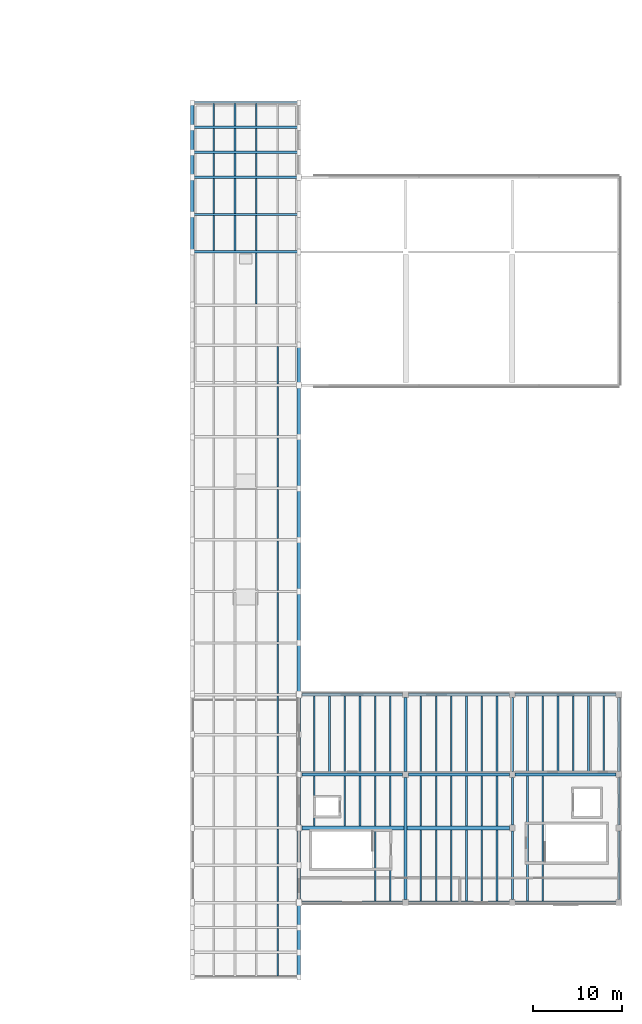
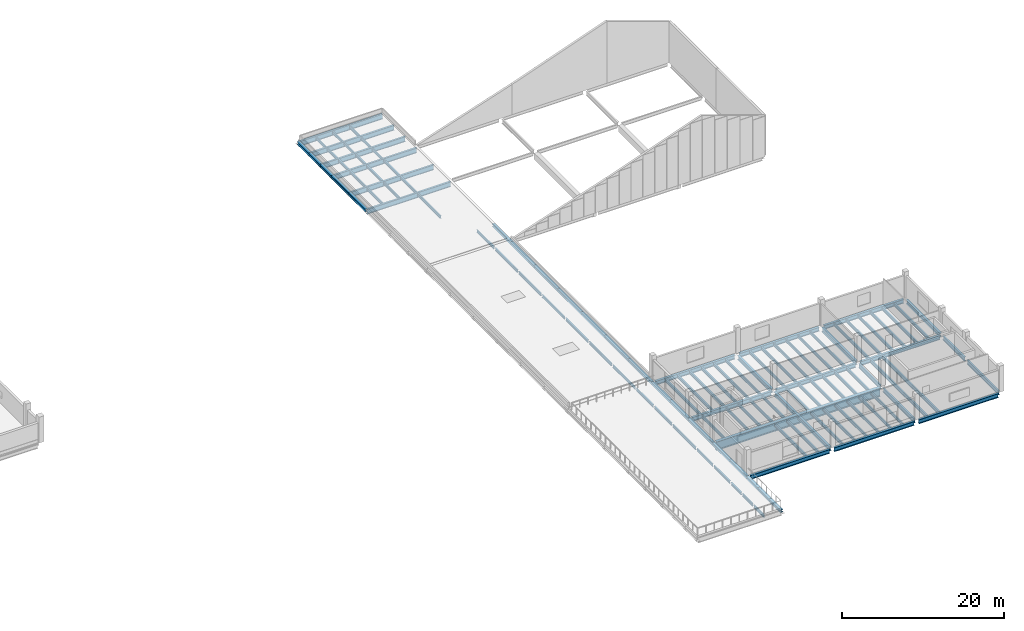
# One storey, part 4 of 19: 114 beams.
"""IFC4 building model written with IfcOpenShell, lengths in metres."""

import ifcopenshell
import ifcopenshell.guid

model = None  # the IFC model being written
_history = None  # IfcOwnerHistory: only IFC2X3 demands one
_inside = {}  # id of a spatial element -> (the spatial element, [elements in it])
_under = {}  # id of a project, library or spatial element -> (it, [spatial elements below it])
_declared = {}  # id of a project -> (the project, [libraries it declares])
_typed = {}  # id of a type object -> (the type object, [elements of that type])
_made_of = {}  # id of a material, layer set ... -> (it, [elements and type objects made of it])


def new_model(schema):
    """Start an empty IFC model of exactly this schema.

    Asked for "IFC4X3", IfcOpenShell would pick the latest addendum, in which some entities
    have other attributes; the version numbers below select the first issue.
    IFC2X3 requires an IfcOwnerHistory on every rooted entity: one is made here for all.
    """
    global model, _history
    if schema == "IFC4X3":
        model = ifcopenshell.file(schema_version=(4, 3, 0, 0))
    else:
        model = ifcopenshell.file(schema=schema)
    _inside.clear()
    _under.clear()
    _declared.clear()
    _typed.clear()
    _made_of.clear()
    _history = None
    if model.schema == "IFC2X3":
        org = make("IfcOrganization", Name="unknown")
        user = make(
            "IfcPersonAndOrganization",
            ThePerson=make("IfcPerson", FamilyName="unknown"),
            TheOrganization=org,
        )
        app = make(
            "IfcApplication",
            ApplicationDeveloper=org,
            Version="unknown",
            ApplicationFullName="unknown",
            ApplicationIdentifier="unknown",
        )
        _history = make(
            "IfcOwnerHistory",
            OwningUser=user,
            OwningApplication=app,
            ChangeAction="ADDED",
            CreationDate=0,
        )
    return model


def make(cls, **values):
    """One entity of the class cls with the attributes given. An attribute that is None is left unset."""
    return model.create_entity(
        cls, **{name: value for name, value in values.items() if value is not None}
    )


def rooted(cls, **values):
    """An entity with a GlobalId (a new one), such as an element, a storey or a relation."""
    return make(cls, GlobalId=ifcopenshell.guid.new(), OwnerHistory=_history, **values)


def si_unit(unit_type, name, prefix=None):
    """IfcSIUnit, for example si_unit("LENGTHUNIT", "METRE", prefix="MILLI")."""
    return make("IfcSIUnit", UnitType=unit_type, Prefix=prefix, Name=name)


def assignment(units):
    """IfcUnitAssignment: the units of a project."""
    return None if units is None else make("IfcUnitAssignment", Units=units)


def point(xyz):
    """IfcCartesianPoint."""
    return None if xyz is None else make("IfcCartesianPoint", Coordinates=xyz)


def direction(xyz):
    """IfcDirection."""
    return None if xyz is None else make("IfcDirection", DirectionRatios=xyz)


def frame(location, z_axis=None, x_axis=None):
    """IfcAxis2Placement3D, a coordinate frame: its origin and axes. An axis left out is left unset."""
    return make(
        "IfcAxis2Placement3D",
        Location=point(location),
        Axis=direction(z_axis),
        RefDirection=direction(x_axis),
    )


def frame_2d(location, x_axis=None):
    """IfcAxis2Placement2D, a coordinate frame in the plane: its origin and x axis."""
    return make(
        "IfcAxis2Placement2D", Location=point(location), RefDirection=direction(x_axis)
    )


def origin():
    """The frame at (0, 0, 0) with its axes left unset."""
    return frame((0.0, 0.0, 0.0))


def origin_2d():
    """The frame at (0, 0) in the plane with its x axis left unset."""
    return frame_2d((0.0, 0.0))


def place(relative_to, where):
    """IfcLocalPlacement: puts the frame where relative to a parent placement (None: the world)."""
    return make(
        "IfcLocalPlacement", PlacementRelTo=relative_to, RelativePlacement=where
    )


def context(
    kind, dimensions, precision=None, world=None, true_north=None, identifier=None
):
    """IfcGeometricRepresentationContext, for example the 3D "Model" context."""
    return make(
        "IfcGeometricRepresentationContext",
        ContextIdentifier=identifier,
        ContextType=kind,
        CoordinateSpaceDimension=dimensions,
        Precision=precision,
        WorldCoordinateSystem=world,
        TrueNorth=true_north,
    )


def subcontext(parent, identifier, kind, view, scale=None):
    """IfcGeometricRepresentationSubContext, for example "Body" below "Model"."""
    return make(
        "IfcGeometricRepresentationSubContext",
        ContextIdentifier=identifier,
        ContextType=kind,
        ParentContext=parent,
        TargetScale=scale,
        TargetView=view,
    )


def project(units=None, contexts=None):
    """IfcProject with its units and contexts."""
    return rooted(
        "IfcProject",
        Name="project",
        RepresentationContexts=contexts,
        UnitsInContext=assignment(units),
    )


def spatial(cls, under=None, at=None, **own):
    """A site, building, storey or space (cls), placed at a placement, below another one or the project."""
    s = rooted(cls, ObjectPlacement=at, **own)
    if under is not None:
        _under.setdefault(under.id(), (under, []))[1].append(s)
    return s


def profile(cls, at=None, kind="AREA", **sizes):
    """A parametric profile (cls). Its sizes go by their IFC names, for example OverallWidth=200.0."""
    return make(cls, ProfileType=kind, Position=at, **sizes)


def i_section(**sizes):
    """IfcIShapeProfileDef."""
    return profile("IfcIShapeProfileDef", **sizes)


def extrude(swept, where, along, depth):
    """IfcExtrudedAreaSolid: the profile swept, set in the frame where, extruded along a direction by depth."""
    return make(
        "IfcExtrudedAreaSolid",
        SweptArea=swept,
        Position=where,
        ExtrudedDirection=direction(along),
        Depth=depth,
    )


def shape(context_of_items, identifier, shape_type, items):
    """IfcShapeRepresentation: the items that make up one representation, for example the "Body"."""
    return make(
        "IfcShapeRepresentation",
        ContextOfItems=context_of_items,
        RepresentationIdentifier=identifier,
        RepresentationType=shape_type,
        Items=items,
    )


def material(Name=None, Category=None):
    """IfcMaterial."""
    return make("IfcMaterial", Name=Name, Category=Category)


def material_profile(
    of_material, cross_section, Name=None, Category=None, Priority=None
):
    """IfcMaterialProfile: a cross section and its material."""
    return make(
        "IfcMaterialProfile",
        Name=Name,
        Material=of_material,
        Profile=cross_section,
        Priority=Priority,
        Category=Category,
    )


def profile_set(profiles, Name=None, composite=None):
    """IfcMaterialProfileSet."""
    return make(
        "IfcMaterialProfileSet",
        Name=Name,
        MaterialProfiles=profiles,
        CompositeProfile=composite,
    )


def made_of(thing, what):
    """Note that an element or type object is made of a material, layer set ...; save() writes the relation."""
    if what is not None:
        _made_of.setdefault(what.id(), (what, []))[1].append(thing)
    return thing


def type_object(cls, material=None, **own):
    """A type object (cls), such as IfcWallType, which elements share."""
    return made_of(rooted(cls, **own), material)


def element(
    cls,
    number,
    at=None,
    inside=None,
    cuts=None,
    type_object=None,
    material=None,
    context=None,
    identifier="Body",
    shape_type=None,
    held_by="IfcProductDefinitionShape",
    body=None,
    shapes=None,
    **own,
):
    """One element of the class cls, such as IfcWall. Its Tag is "e" and its number.

    at: its placement. inside: the storey or other place that contains it. cuts: it is an
    opening in that element (IfcRelVoidsElement). A single representation is given by context,
    identifier, shape_type and body (its items); several are given by shapes. held_by: the class
    of the entity that holds the representations. save() writes the other relations.
    """
    e = rooted(cls, Tag="e%d" % number, ObjectPlacement=at, **own)
    if body is not None:
        shapes = [shape(context, identifier, shape_type, body)]
    if shapes is not None:
        e.Representation = make(held_by, Representations=shapes)
    if inside is not None:
        _inside.setdefault(inside.id(), (inside, []))[1].append(e)
    if cuts is not None:
        rooted(
            "IfcRelVoidsElement", RelatingBuildingElement=cuts, RelatedOpeningElement=e
        )
    if type_object is not None:
        _typed.setdefault(type_object.id(), (type_object, []))[1].append(e)
    return made_of(e, material)


def aggregate(whole, parts):
    """IfcRelAggregates: a whole, such as a stair, and the parts it consists of."""
    return rooted("IfcRelAggregates", RelatingObject=whole, RelatedObjects=parts)


def save(model, path):
    """Write the relations noted so far, then the file.

    IfcRelAggregates (storeys below a building ...), IfcRelContainedInSpatialStructure (elements
    in a storey), IfcRelDefinesByType, IfcRelAssociatesMaterial and IfcRelDeclares: one each for
    every whole, place, type object, material and project.
    """
    for whole, parts in _under.values():
        aggregate(whole, parts)
    for where, things in _inside.values():
        rooted(
            "IfcRelContainedInSpatialStructure",
            RelatedElements=things,
            RelatingStructure=where,
        )
    for kind, things in _typed.values():
        rooted("IfcRelDefinesByType", RelatedObjects=things, RelatingType=kind)
    for what, things in _made_of.values():
        rooted("IfcRelAssociatesMaterial", RelatedObjects=things, RelatingMaterial=what)
    for by, libraries in _declared.values():
        rooted("IfcRelDeclares", RelatingContext=by, RelatedDefinitions=libraries)
    model.write(path)


model = new_model("IFC4")

# Units and contexts
model_context = context("Model", 3, precision=1e-05, world=origin(), true_north=direction((0.0, 1.0)))
body_context = subcontext(model_context, "Body", "Model", "MODEL_VIEW")
ifc_project = project(units=[si_unit("LENGTHUNIT", "METRE"), si_unit("AREAUNIT", "SQUARE_METRE"), si_unit("VOLUMEUNIT", "CUBIC_METRE"), si_unit("PLANEANGLEUNIT", "RADIAN"), si_unit("MASSUNIT", "GRAM", prefix="KILO")], contexts=[model_context])

# Site, building, storey
site_placement = place(None, origin())
site = spatial("IfcSite", under=ifc_project, at=site_placement, CompositionType="ELEMENT")
building_placement = place(site_placement, origin())
building = spatial("IfcBuilding", under=site, at=building_placement, Name="Kelmvaro Bay Concert Hall", CompositionType="ELEMENT")
storey_placement = place(building_placement, frame((0.0, 0.0, 18.300048828125)))
storey = spatial("IfcBuildingStorey", under=building, at=storey_placement, Name="L04", CompositionType="ELEMENT", Elevation=18.300048828125)

# Beams
ifc_material_1 = material(Name="Steel ASTM A992 Grade 50", Category="steel")
ifc_material_profile_1 = material_profile(ifc_material_1, i_section(OverallWidth=0.40087890625, OverallDepth=0.39404296875, WebThickness=0.022705078125, FlangeThickness=0.03662109375, at=origin_2d()), Name="W14X193")
ifc_profile_set_1 = profile_set([ifc_material_profile_1], Name="Steel ASTM A992 Grade 50")
beam_type_1 = type_object("IfcBeamType", Name="Bridge Cantilever Chord W14x193", PredefinedType="BEAM", material=ifc_profile_set_1)
for number, where, z_axis, x_axis, name in (
    (1, (120.0, 97.199951171875, -0.47705078125), (0.0, 1.0, 0.0), (-1.0, 0.0, 0.0), "Bridge Truss W Top Chord 20"),
    (2, (120.0, 100.0, -0.47705078125), (0.0, 1.0, 0.0), (-1.0, 0.0, 0.0), "Bridge Truss W Top Chord 21"),
    (3, (120.0, 102.800048828125, -0.47705078125), (0.0, 1.0, 0.0), (-1.0, 0.0, 0.0), "Bridge Truss W Top Chord 22"),
    (4, (132.0, 7.199951171875, -0.47705078125), (0.0, 1.0, 0.0), (-1.0, 0.0, 0.0), "Bridge Truss E Top Chord 01"),
    (5, (132.0, 10.0, -0.47705078125), (0.0, 1.0, 0.0), (-1.0, 0.0, 0.0), "Bridge Truss E Top Chord 02"),
    (6, (132.0, 12.800048828125, -0.47705078125), (0.0, 1.0, 0.0), (-1.0, 0.0, 0.0), "Bridge Truss E Top Chord 03"),
):
    element("IfcBeam", number, at=place(storey_placement, frame(where, z_axis=z_axis, x_axis=x_axis)), inside=storey, type_object=beam_type_1, Name=name, PredefinedType="BEAM", context=body_context, shape_type="SweptSolid", body=[
        extrude(i_section(OverallWidth=0.40087890625, OverallDepth=0.39404296875, WebThickness=0.022705078125, FlangeThickness=0.03662109375, at=origin_2d()), origin(), (0.0, 0.0, 1.0), 2.800048828125),
    ])
ifc_material_2 = material(Name="Steel ASTM A992 Grade 50", Category="steel")
ifc_material_profile_2 = material_profile(ifc_material_2, i_section(OverallWidth=0.177978515625, OverallDepth=0.406005859375, WebThickness=0.0078125, FlangeThickness=0.0126953125, at=origin_2d()), Name="W16X40")
ifc_profile_set_2 = profile_set([ifc_material_profile_2], Name="Steel ASTM A992 Grade 50")
beam_type_2 = type_object("IfcBeamType", Name="Bridge Deck Floor Joist W16x40", PredefinedType="JOIST", material=ifc_profile_set_2)
for number, where, z_axis, x_axis, name in (
    (7, (129.60009765625, 7.33349609375, -0.483154296875), (0.0, 1.0, 0.0), (-1.0, 0.0, 0.0), "Bridge Deck Joist L04-01"),
    (8, (129.60009765625, 10.133544921875, -0.483154296875), (0.0, 1.0, 0.0), (-1.0, 0.0, 0.0), "Bridge Deck Joist L04-02"),
    (9, (129.60009765625, 12.93359375, -0.483154296875), (0.0, 1.0, 0.0), (-1.0, 0.0, 0.0), "Bridge Deck Joist L04-03"),
):
    element("IfcBeam", number, at=place(storey_placement, frame(where, z_axis=z_axis, x_axis=x_axis)), inside=storey, type_object=beam_type_2, Name=name, PredefinedType="JOIST", context=body_context, shape_type="SweptSolid", body=[
        extrude(i_section(OverallWidth=0.177978515625, OverallDepth=0.406005859375, WebThickness=0.0078125, FlangeThickness=0.0126953125, at=origin_2d()), origin(), (0.0, 0.0, 1.0), 2.532958984375),
    ])
beam_1_placement = place(storey_placement, frame((129.60009765625, 15.7333984375, -0.483154296875), z_axis=(0.0, 1.0, 0.0), x_axis=(-1.0, 0.0, 0.0)))
element("IfcBeam", 10, at=beam_1_placement, inside=storey, type_object=beam_type_2, Name="Bridge Deck Joist L04-04", PredefinedType="JOIST", context=body_context, shape_type="SweptSolid", body=[
    extrude(i_section(OverallWidth=0.177978515625, OverallDepth=0.406005859375, WebThickness=0.0078125, FlangeThickness=0.0126953125, at=origin_2d()), origin(), (0.0, 0.0, 1.0), 3.93310546875),
])
beam_2_placement = place(storey_placement, frame((129.60009765625, 19.93359375, -0.483154296875), z_axis=(0.0, 1.0, 0.0), x_axis=(-1.0, 0.0, 0.0)))
element("IfcBeam", 11, at=beam_2_placement, inside=storey, type_object=beam_type_2, Name="Bridge Deck Joist L04-05", PredefinedType="JOIST", context=body_context, shape_type="SweptSolid", body=[
    extrude(i_section(OverallWidth=0.177978515625, OverallDepth=0.406005859375, WebThickness=0.0078125, FlangeThickness=0.0126953125, at=origin_2d()), origin(), (0.0, 0.0, 1.0), 3.932861328125),
])
beam_3_placement = place(storey_placement, frame((129.60009765625, 24.133544921875, -0.483154296875), z_axis=(0.0, 1.0, 0.0), x_axis=(-1.0, 0.0, 0.0)))
element("IfcBeam", 12, at=beam_3_placement, inside=storey, type_object=beam_type_2, Name="Bridge Deck Joist L04-06", PredefinedType="JOIST", context=body_context, shape_type="SweptSolid", body=[
    extrude(i_section(OverallWidth=0.177978515625, OverallDepth=0.406005859375, WebThickness=0.0078125, FlangeThickness=0.0126953125, at=origin_2d()), origin(), (0.0, 0.0, 1.0), 5.73291015625),
])
for number, where, z_axis, x_axis, name in (
    (13, (129.60009765625, 30.133544921875, -0.483154296875), (0.0, 1.0, 0.0), (-1.0, 0.0, 0.0), "Bridge Deck Joist L04-07"),
    (14, (129.60009765625, 34.633544921875, -0.483154296875), (0.0, 1.0, 0.0), (-1.0, 0.0, 0.0), "Bridge Deck Joist L04-08"),
):
    element("IfcBeam", number, at=place(storey_placement, frame(where, z_axis=z_axis, x_axis=x_axis)), inside=storey, type_object=beam_type_2, Name=name, PredefinedType="JOIST", context=body_context, shape_type="SweptSolid", body=[
        extrude(i_section(OverallWidth=0.177978515625, OverallDepth=0.406005859375, WebThickness=0.0078125, FlangeThickness=0.0126953125, at=origin_2d()), origin(), (0.0, 0.0, 1.0), 4.23291015625),
    ])
for number, where, z_axis, x_axis, name in (
    (15, (129.60009765625, 39.133544921875, -0.483154296875), (0.0, 1.0, 0.0), (-1.0, 0.0, 0.0), "Bridge Deck Joist L04-09"),
    (16, (129.60009765625, 44.93359375, -0.483154296875), (0.0, 1.0, 0.0), (-1.0, 0.0, 0.0), "Bridge Deck Joist L04-10"),
):
    element("IfcBeam", number, at=place(storey_placement, frame(where, z_axis=z_axis, x_axis=x_axis)), inside=storey, type_object=beam_type_2, Name=name, PredefinedType="JOIST", context=body_context, shape_type="SweptSolid", body=[
        extrude(i_section(OverallWidth=0.177978515625, OverallDepth=0.406005859375, WebThickness=0.0078125, FlangeThickness=0.0126953125, at=origin_2d()), origin(), (0.0, 0.0, 1.0), 5.532958984375),
    ])
beam_4_placement = place(storey_placement, frame((129.60009765625, 50.7333984375, -0.483154296875), z_axis=(0.0, 1.0, 0.0), x_axis=(-1.0, 0.0, 0.0)))
element("IfcBeam", 17, at=beam_4_placement, inside=storey, type_object=beam_type_2, Name="Bridge Deck Joist L04-11", PredefinedType="JOIST", context=body_context, shape_type="SweptSolid", body=[
    extrude(i_section(OverallWidth=0.177978515625, OverallDepth=0.406005859375, WebThickness=0.0078125, FlangeThickness=0.0126953125, at=origin_2d()), origin(), (0.0, 0.0, 1.0), 5.533203125),
])
for number, where, z_axis, x_axis, name in (
    (18, (129.60009765625, 56.533447265625, -0.483154296875), (0.0, 1.0, 0.0), (-1.0, 0.0, 0.0), "Bridge Deck Joist L04-12"),
    (19, (129.60009765625, 62.33349609375, -0.483154296875), (0.0, 1.0, 0.0), (-1.0, 0.0, 0.0), "Bridge Deck Joist L04-13"),
    (20, (129.60009765625, 68.133544921875, -0.483154296875), (0.0, 1.0, 0.0), (-1.0, 0.0, 0.0), "Bridge Deck Joist L04-14"),
):
    element("IfcBeam", number, at=place(storey_placement, frame(where, z_axis=z_axis, x_axis=x_axis)), inside=storey, type_object=beam_type_2, Name=name, PredefinedType="JOIST", context=body_context, shape_type="SweptSolid", body=[
        extrude(i_section(OverallWidth=0.177978515625, OverallDepth=0.406005859375, WebThickness=0.0078125, FlangeThickness=0.0126953125, at=origin_2d()), origin(), (0.0, 0.0, 1.0), 5.532958984375),
    ])
beam_5_placement = place(storey_placement, frame((129.60009765625, 73.93359375, -0.483154296875), z_axis=(0.0, 1.0, 0.0), x_axis=(-1.0, 0.0, 0.0)))
element("IfcBeam", 21, at=beam_5_placement, inside=storey, type_object=beam_type_2, Name="Bridge Deck Joist L04-15", PredefinedType="JOIST", context=body_context, shape_type="SweptSolid", body=[
    extrude(i_section(OverallWidth=0.177978515625, OverallDepth=0.406005859375, WebThickness=0.0078125, FlangeThickness=0.0126953125, at=origin_2d()), origin(), (0.0, 0.0, 1.0), 4.23291015625),
])
beam_6_placement = place(storey_placement, frame((127.199951171875, 82.93359375, -0.483154296875), z_axis=(0.0, 1.0, 0.0), x_axis=(-1.0, 0.0, 0.0)))
element("IfcBeam", 22, at=beam_6_placement, inside=storey, type_object=beam_type_2, Name="Bridge Deck Joist L04-17", PredefinedType="JOIST", context=body_context, shape_type="SweptSolid", body=[
    extrude(i_section(OverallWidth=0.177978515625, OverallDepth=0.406005859375, WebThickness=0.0078125, FlangeThickness=0.0126953125, at=origin_2d()), origin(), (0.0, 0.0, 1.0), 5.73291015625),
])
for number, where, z_axis, x_axis, name in (
    (23, (122.39990234375, 88.93359375, -0.483154296875), (0.0, 1.0, 0.0), (-1.0, 0.0, 0.0), "Bridge Deck Joist L04-18"),
    (24, (124.800048828125, 88.93359375, -0.483154296875), (0.0, 1.0, 0.0), (-1.0, 0.0, 0.0), "Bridge Deck Joist L04-18"),
    (25, (127.199951171875, 88.93359375, -0.483154296875), (0.0, 1.0, 0.0), (-1.0, 0.0, 0.0), "Bridge Deck Joist L04-18"),
    (26, (122.39990234375, 93.133544921875, -0.483154296875), (0.0, 1.0, 0.0), (-1.0, 0.0, 0.0), "Bridge Deck Joist L04-19"),
    (27, (124.800048828125, 93.133544921875, -0.483154296875), (0.0, 1.0, 0.0), (-1.0, 0.0, 0.0), "Bridge Deck Joist L04-19"),
    (28, (127.199951171875, 93.133544921875, -0.483154296875), (0.0, 1.0, 0.0), (-1.0, 0.0, 0.0), "Bridge Deck Joist L04-19"),
):
    element("IfcBeam", number, at=place(storey_placement, frame(where, z_axis=z_axis, x_axis=x_axis)), inside=storey, type_object=beam_type_2, Name=name, PredefinedType="JOIST", context=body_context, shape_type="SweptSolid", body=[
        extrude(i_section(OverallWidth=0.177978515625, OverallDepth=0.406005859375, WebThickness=0.0078125, FlangeThickness=0.0126953125, at=origin_2d()), origin(), (0.0, 0.0, 1.0), 3.932861328125),
    ])
for number, where, z_axis, x_axis, name in (
    (29, (122.39990234375, 97.33349609375, -0.483154296875), (0.0, 1.0, 0.0), (-1.0, 0.0, 0.0), "Bridge Deck Joist L04-20"),
    (30, (124.800048828125, 97.33349609375, -0.483154296875), (0.0, 1.0, 0.0), (-1.0, 0.0, 0.0), "Bridge Deck Joist L04-20"),
    (31, (127.199951171875, 97.33349609375, -0.483154296875), (0.0, 1.0, 0.0), (-1.0, 0.0, 0.0), "Bridge Deck Joist L04-20"),
    (32, (122.39990234375, 100.133544921875, -0.483154296875), (0.0, 1.0, 0.0), (-1.0, 0.0, 0.0), "Bridge Deck Joist L04-21"),
    (33, (124.800048828125, 100.133544921875, -0.483154296875), (0.0, 1.0, 0.0), (-1.0, 0.0, 0.0), "Bridge Deck Joist L04-21"),
    (34, (127.199951171875, 100.133544921875, -0.483154296875), (0.0, 1.0, 0.0), (-1.0, 0.0, 0.0), "Bridge Deck Joist L04-21"),
    (35, (122.39990234375, 102.93359375, -0.483154296875), (0.0, 1.0, 0.0), (-1.0, 0.0, 0.0), "Bridge Deck Joist L04-22"),
    (36, (124.800048828125, 102.93359375, -0.483154296875), (0.0, 1.0, 0.0), (-1.0, 0.0, 0.0), "Bridge Deck Joist L04-22"),
    (37, (127.199951171875, 102.93359375, -0.483154296875), (0.0, 1.0, 0.0), (-1.0, 0.0, 0.0), "Bridge Deck Joist L04-22"),
):
    element("IfcBeam", number, at=place(storey_placement, frame(where, z_axis=z_axis, x_axis=x_axis)), inside=storey, type_object=beam_type_2, Name=name, PredefinedType="JOIST", context=body_context, shape_type="SweptSolid", body=[
        extrude(i_section(OverallWidth=0.177978515625, OverallDepth=0.406005859375, WebThickness=0.0078125, FlangeThickness=0.0126953125, at=origin_2d()), origin(), (0.0, 0.0, 1.0), 2.532958984375),
    ])
ifc_material_3 = material(Name="Steel ASTM A992 Grade 50", Category="steel")
ifc_material_profile_3 = material_profile(ifc_material_3, i_section(OverallWidth=0.26708984375, OverallDepth=0.761962890625, WebThickness=0.014404296875, FlangeThickness=0.021484375, at=origin_2d()), Name="W30X116")
ifc_profile_set_3 = profile_set([ifc_material_profile_3], Name="Steel ASTM A992 Grade 50")
beam_type_3 = type_object("IfcBeamType", Name="Bridge Transverse Floor Girder W30x116", PredefinedType="BEAM", material=ifc_profile_set_3)
for number, where, z_axis, x_axis, name in (
    (38, (120.0400390625, 88.800048828125, -0.6611328125), (1.0, 0.0, 0.0), (0.0, 1.0, 0.0), "Bridge Transverse Floor Girder L04-18"),
    (39, (120.0400390625, 93.0, -0.6611328125), (1.0, 0.0, 0.0), (0.0, 1.0, 0.0), "Bridge Transverse Floor Girder L04-19"),
    (40, (120.0400390625, 97.199951171875, -0.6611328125), (1.0, 0.0, 0.0), (0.0, 1.0, 0.0), "Bridge Transverse Floor Girder L04-20"),
    (41, (120.0400390625, 100.0, -0.6611328125), (1.0, 0.0, 0.0), (0.0, 1.0, 0.0), "Bridge Transverse Floor Girder L04-21"),
    (42, (120.0400390625, 102.800048828125, -0.6611328125), (1.0, 0.0, 0.0), (0.0, 1.0, 0.0), "Bridge Transverse Floor Girder L04-22"),
    (43, (120.0400390625, 105.60009765625, -0.6611328125), (1.0, 0.0, 0.0), (0.0, 1.0, 0.0), "Bridge Transverse Floor Girder L04-23"),
):
    element("IfcBeam", number, at=place(storey_placement, frame(where, z_axis=z_axis, x_axis=x_axis)), inside=storey, type_object=beam_type_3, Name=name, PredefinedType="BEAM", context=body_context, shape_type="SweptSolid", body=[
        extrude(i_section(OverallWidth=0.26708984375, OverallDepth=0.761962890625, WebThickness=0.014404296875, FlangeThickness=0.021484375, at=origin_2d()), origin(), (0.0, 0.0, 1.0), 11.919921875),
    ])
ifc_material_4 = material(Name="Steel ASTM A992 Grade 50", Category="steel")
ifc_material_profile_4 = material_profile(ifc_material_4, i_section(OverallWidth=0.40087890625, OverallDepth=0.39892578125, WebThickness=0.02490234375, FlangeThickness=0.03955078125, at=origin_2d()), Name="W14X211")
ifc_profile_set_4 = profile_set([ifc_material_profile_4], Name="Steel ASTM A992 Grade 50")
beam_type_4 = type_object("IfcBeamType", Name="Bridge Truss Top Chord W14x211", PredefinedType="BEAM", material=ifc_profile_set_4)
for number, where, z_axis, x_axis, name in (
    (44, (120.0, 88.800048828125, -0.4794921875), (0.0, 1.0, 0.0), (-1.0, 0.0, 0.0), "Bridge Truss W Top Chord 18"),
    (45, (120.0, 93.0, -0.4794921875), (0.0, 1.0, 0.0), (-1.0, 0.0, 0.0), "Bridge Truss W Top Chord 19"),
    (46, (132.0, 15.60009765625, -0.4794921875), (0.0, 1.0, 0.0), (-1.0, 0.0, 0.0), "Bridge Truss E Top Chord 04"),
    (47, (132.0, 19.800048828125, -0.4794921875), (0.0, 1.0, 0.0), (-1.0, 0.0, 0.0), "Bridge Truss E Top Chord 05"),
):
    element("IfcBeam", number, at=place(storey_placement, frame(where, z_axis=z_axis, x_axis=x_axis)), inside=storey, type_object=beam_type_4, Name=name, PredefinedType="BEAM", context=body_context, shape_type="SweptSolid", body=[
        extrude(i_section(OverallWidth=0.40087890625, OverallDepth=0.39892578125, WebThickness=0.02490234375, FlangeThickness=0.03955078125, at=origin_2d()), origin(), (0.0, 0.0, 1.0), 4.199951171875),
    ])
beam_7_placement = place(storey_placement, frame((132.0, 24.0, -0.4794921875), z_axis=(0.0, 1.0, 0.0), x_axis=(-1.0, 0.0, 0.0)))
element("IfcBeam", 48, at=beam_7_placement, inside=storey, type_object=beam_type_4, Name="Bridge Truss E Top Chord 06", PredefinedType="BEAM", context=body_context, shape_type="SweptSolid", body=[
    extrude(i_section(OverallWidth=0.40087890625, OverallDepth=0.39892578125, WebThickness=0.02490234375, FlangeThickness=0.03955078125, at=origin_2d()), origin(), (0.0, 0.0, 1.0), 6.0),
])
for number, where, z_axis, x_axis, name in (
    (49, (132.0, 30.0, -0.4794921875), (0.0, 1.0, 0.0), (-1.0, 0.0, 0.0), "Bridge Truss E Top Chord 07"),
    (50, (132.0, 34.5, -0.4794921875), (0.0, 1.0, 0.0), (-1.0, 0.0, 0.0), "Bridge Truss E Top Chord 08"),
):
    element("IfcBeam", number, at=place(storey_placement, frame(where, z_axis=z_axis, x_axis=x_axis)), inside=storey, type_object=beam_type_4, Name=name, PredefinedType="BEAM", context=body_context, shape_type="SweptSolid", body=[
        extrude(i_section(OverallWidth=0.40087890625, OverallDepth=0.39892578125, WebThickness=0.02490234375, FlangeThickness=0.03955078125, at=origin_2d()), origin(), (0.0, 0.0, 1.0), 4.5),
    ])
for number, where, z_axis, x_axis, name in (
    (51, (132.0, 39.0, -0.4794921875), (0.0, 1.0, 0.0), (-1.0, 0.0, 0.0), "Bridge Truss E Top Chord 09"),
    (52, (132.0, 44.800048828125, -0.4794921875), (0.0, 1.0, 0.0), (-1.0, 0.0, 0.0), "Bridge Truss E Top Chord 10"),
):
    element("IfcBeam", number, at=place(storey_placement, frame(where, z_axis=z_axis, x_axis=x_axis)), inside=storey, type_object=beam_type_4, Name=name, PredefinedType="BEAM", context=body_context, shape_type="SweptSolid", body=[
        extrude(i_section(OverallWidth=0.40087890625, OverallDepth=0.39892578125, WebThickness=0.02490234375, FlangeThickness=0.03955078125, at=origin_2d()), origin(), (0.0, 0.0, 1.0), 5.800048828125),
    ])
beam_8_placement = place(storey_placement, frame((132.0, 50.60009765625, -0.4794921875), z_axis=(0.0, 1.0, 0.0), x_axis=(-1.0, 0.0, 0.0)))
element("IfcBeam", 53, at=beam_8_placement, inside=storey, type_object=beam_type_4, Name="Bridge Truss E Top Chord 11", PredefinedType="BEAM", context=body_context, shape_type="SweptSolid", body=[
    extrude(i_section(OverallWidth=0.40087890625, OverallDepth=0.39892578125, WebThickness=0.02490234375, FlangeThickness=0.03955078125, at=origin_2d()), origin(), (0.0, 0.0, 1.0), 5.7998046875),
])
for number, where, z_axis, x_axis, name in (
    (54, (132.0, 56.39990234375, -0.4794921875), (0.0, 1.0, 0.0), (-1.0, 0.0, 0.0), "Bridge Truss E Top Chord 12"),
    (55, (132.0, 62.199951171875, -0.4794921875), (0.0, 1.0, 0.0), (-1.0, 0.0, 0.0), "Bridge Truss E Top Chord 13"),
    (56, (132.0, 68.0, -0.4794921875), (0.0, 1.0, 0.0), (-1.0, 0.0, 0.0), "Bridge Truss E Top Chord 14"),
):
    element("IfcBeam", number, at=place(storey_placement, frame(where, z_axis=z_axis, x_axis=x_axis)), inside=storey, type_object=beam_type_4, Name=name, PredefinedType="BEAM", context=body_context, shape_type="SweptSolid", body=[
        extrude(i_section(OverallWidth=0.40087890625, OverallDepth=0.39892578125, WebThickness=0.02490234375, FlangeThickness=0.03955078125, at=origin_2d()), origin(), (0.0, 0.0, 1.0), 5.800048828125),
    ])
beam_9_placement = place(storey_placement, frame((132.0, 73.800048828125, -0.4794921875), z_axis=(0.0, 1.0, 0.0), x_axis=(-1.0, 0.0, 0.0)))
element("IfcBeam", 57, at=beam_9_placement, inside=storey, type_object=beam_type_4, Name="Bridge Truss E Top Chord 15", PredefinedType="BEAM", context=body_context, shape_type="SweptSolid", body=[
    extrude(i_section(OverallWidth=0.40087890625, OverallDepth=0.39892578125, WebThickness=0.02490234375, FlangeThickness=0.03955078125, at=origin_2d()), origin(), (0.0, 0.0, 1.0), 4.5),
])
ifc_material_5 = material(Name="Steel ASTM A992 Grade 50", Category="steel")
ifc_material_profile_5 = material_profile(ifc_material_5, i_section(OverallWidth=0.323974609375, OverallDepth=0.611083984375, WebThickness=0.0126953125, FlangeThickness=0.01904296875, at=origin_2d()), Name="W24X104")
ifc_profile_set_5 = profile_set([ifc_material_profile_5], Name="Steel ASTM A992 Grade 50")
beam_type_5 = type_object("IfcBeamType", Name="Foyer Frame Girder W24x104", PredefinedType="BEAM", material=ifc_profile_set_5)
for number, where, z_axis, x_axis, name in (
    (58, (132.324951171875, 15.60009765625, -0.575439453125), (1.0, 0.0, 0.0), (0.0, 1.0, 0.0), "L04 Girder BM-L04-EW-1704"),
    (59, (144.324951171875, 15.60009765625, -0.575439453125), (1.0, 0.0, 0.0), (0.0, 1.0, 0.0), "L04 Girder BM-L04-EW-1705"),
    (60, (156.324951171875, 15.60009765625, -0.575439453125), (1.0, 0.0, 0.0), (0.0, 1.0, 0.0), "L04 Girder BM-L04-EW-1706"),
    (61, (132.324951171875, 30.0, -0.575439453125), (1.0, 0.0, 0.0), (0.0, 1.0, 0.0), "L04 Girder BM-L04-EW-1708"),
    (62, (144.324951171875, 30.0, -0.575439453125), (1.0, 0.0, 0.0), (0.0, 1.0, 0.0), "L04 Girder BM-L04-EW-1709"),
    (63, (156.324951171875, 30.0, -0.575439453125), (1.0, 0.0, 0.0), (0.0, 1.0, 0.0), "L04 Girder BM-L04-EW-1710"),
    (64, (132.324951171875, 39.0, -0.575439453125), (1.0, 0.0, 0.0), (0.0, 1.0, 0.0), "L04 Girder BM-L04-EW-1711"),
    (65, (144.324951171875, 39.0, -0.575439453125), (1.0, 0.0, 0.0), (0.0, 1.0, 0.0), "L04 Girder BM-L04-EW-1712"),
    (66, (156.324951171875, 39.0, -0.575439453125), (1.0, 0.0, 0.0), (0.0, 1.0, 0.0), "L04 Girder BM-L04-EW-1713"),
):
    element("IfcBeam", number, at=place(storey_placement, frame(where, z_axis=z_axis, x_axis=x_axis)), inside=storey, type_object=beam_type_5, Name=name, PredefinedType="BEAM", context=body_context, shape_type="SweptSolid", body=[
        extrude(i_section(OverallWidth=0.323974609375, OverallDepth=0.611083984375, WebThickness=0.0126953125, FlangeThickness=0.01904296875, at=origin_2d()), origin(), (0.0, 0.0, 1.0), 11.35009765625),
    ])
beam_10_placement = place(storey_placement, frame((144.0, 15.925048828125, -0.575439453125), z_axis=(0.0, 1.0, 0.0), x_axis=(-1.0, 0.0, 0.0)))
element("IfcBeam", 67, at=beam_10_placement, inside=storey, type_object=beam_type_5, Name="L04 Girder BM-L04-NS-1773", PredefinedType="BEAM", context=body_context, shape_type="SweptSolid", body=[
    extrude(i_section(OverallWidth=0.323974609375, OverallDepth=0.611083984375, WebThickness=0.0126953125, FlangeThickness=0.01904296875, at=origin_2d()), origin(), (0.0, 0.0, 1.0), 13.75),
])
for number, where, z_axis, x_axis, name in (
    (68, (144.0, 30.324951171875, -0.575439453125), (0.0, 1.0, 0.0), (-1.0, 0.0, 0.0), "L04 Girder BM-L04-NS-1774"),
    (69, (156.0, 30.324951171875, -0.575439453125), (0.0, 1.0, 0.0), (-1.0, 0.0, 0.0), "L04 Girder BM-L04-NS-1779"),
    (70, (168.0, 30.324951171875, -0.575439453125), (0.0, 1.0, 0.0), (-1.0, 0.0, 0.0), "L04 Girder BM-L04-NS-1784"),
):
    element("IfcBeam", number, at=place(storey_placement, frame(where, z_axis=z_axis, x_axis=x_axis)), inside=storey, type_object=beam_type_5, Name=name, PredefinedType="BEAM", context=body_context, shape_type="SweptSolid", body=[
        extrude(i_section(OverallWidth=0.323974609375, OverallDepth=0.611083984375, WebThickness=0.0126953125, FlangeThickness=0.01904296875, at=origin_2d()), origin(), (0.0, 0.0, 1.0), 8.35009765625),
    ])
ifc_material_6 = material(Name="Steel ASTM A992 Grade 50", Category="steel")
ifc_material_profile_6 = material_profile(ifc_material_6, i_section(OverallWidth=0.449951171875, OverallDepth=1.300048828125, WebThickness=0.01806640625, FlangeThickness=0.031982421875, at=origin_2d()), Name="PG1300X450")
ifc_profile_set_6 = profile_set([ifc_material_profile_6], Name="Steel ASTM A992 Grade 50")
beam_type_6 = type_object("IfcBeamType", Name="Long Span Transfer Girder PG1300x450", PredefinedType="BEAM", material=ifc_profile_set_6)
beam_11_placement = place(storey_placement, frame((132.324951171875, 24.0, -0.920166015625), z_axis=(1.0, 0.0, 0.0), x_axis=(0.0, 1.0, 0.0)))
element("IfcBeam", 71, at=beam_11_placement, inside=storey, type_object=beam_type_6, Name="L04 Girder BM-L04-EW-1707", PredefinedType="BEAM", context=body_context, shape_type="SweptSolid", body=[
    extrude(i_section(OverallWidth=0.449951171875, OverallDepth=1.300048828125, WebThickness=0.01806640625, FlangeThickness=0.031982421875, at=origin_2d()), origin(), (0.0, 0.0, 1.0), 23.35009765625),
])
ifc_material_7 = material(Name="Steel ASTM A992 Grade 50", Category="steel")
ifc_material_profile_7 = material_profile(ifc_material_7, i_section(OverallWidth=0.2080078125, OverallDepth=0.528076171875, WebThickness=0.009521484375, FlangeThickness=0.01318359375, at=origin_2d()), Name="W21X55")
ifc_profile_set_7 = profile_set([ifc_material_profile_7], Name="Steel ASTM A992 Grade 50")
beam_type_7 = type_object("IfcBeamType", Name="Pavilion Floor Joist W21x55", PredefinedType="JOIST", material=ifc_profile_set_7)
for number, where, z_axis, x_axis, name in (
    (72, (157.71435546875, 15.761962890625, -0.533935546875), (0.0, 1.0, 0.0), (-1.0, 0.0, 0.0), "L04 Floor Joist JST-L04-1796"),
    (73, (159.4287109375, 15.761962890625, -0.533935546875), (0.0, 1.0, 0.0), (-1.0, 0.0, 0.0), "L04 Floor Joist JST-L04-1797"),
):
    element("IfcBeam", number, at=place(storey_placement, frame(where, z_axis=z_axis, x_axis=x_axis)), inside=storey, type_object=beam_type_7, Name=name, PredefinedType="JOIST", context=body_context, shape_type="SweptSolid", body=[
        extrude(i_section(OverallWidth=0.2080078125, OverallDepth=0.528076171875, WebThickness=0.009521484375, FlangeThickness=0.01318359375, at=origin_2d()), origin(), (0.0, 0.0, 1.0), 14.075927734375),
    ])
ifc_material_8 = material(Name="Steel ASTM A992 Grade 50", Category="steel")
ifc_material_profile_8 = material_profile(ifc_material_8, i_section(OverallWidth=0.19091796875, OverallDepth=0.45703125, WebThickness=0.009033203125, FlangeThickness=0.014404296875, at=origin_2d()), Name="W18X50")
ifc_profile_set_8 = profile_set([ifc_material_profile_8], Name="Steel ASTM A992 Grade 50")
beam_type_8 = type_object("IfcBeamType", Name="Standard Composite Floor Joist W18x50", PredefinedType="JOIST", material=ifc_profile_set_8)
for number, where, z_axis, x_axis, name in (
    (74, (140.5712890625, 15.761962890625, -0.49853515625), (0.0, 1.0, 0.0), (-1.0, 0.0, 0.0), "L04 Floor Joist JST-L04-1788"),
    (75, (142.28564453125, 15.761962890625, -0.49853515625), (0.0, 1.0, 0.0), (-1.0, 0.0, 0.0), "L04 Floor Joist JST-L04-1789"),
    (76, (145.71435546875, 15.761962890625, -0.49853515625), (0.0, 1.0, 0.0), (-1.0, 0.0, 0.0), "L04 Floor Joist JST-L04-1790"),
    (77, (147.4287109375, 15.761962890625, -0.49853515625), (0.0, 1.0, 0.0), (-1.0, 0.0, 0.0), "L04 Floor Joist JST-L04-1791"),
    (78, (149.142822265625, 15.761962890625, -0.49853515625), (0.0, 1.0, 0.0), (-1.0, 0.0, 0.0), "L04 Floor Joist JST-L04-1792"),
    (79, (150.857177734375, 15.761962890625, -0.49853515625), (0.0, 1.0, 0.0), (-1.0, 0.0, 0.0), "L04 Floor Joist JST-L04-1793"),
    (80, (152.5712890625, 15.761962890625, -0.49853515625), (0.0, 1.0, 0.0), (-1.0, 0.0, 0.0), "L04 Floor Joist JST-L04-1794"),
    (81, (154.28564453125, 15.761962890625, -0.49853515625), (0.0, 1.0, 0.0), (-1.0, 0.0, 0.0), "L04 Floor Joist JST-L04-1795"),
):
    element("IfcBeam", number, at=place(storey_placement, frame(where, z_axis=z_axis, x_axis=x_axis)), inside=storey, type_object=beam_type_8, Name=name, PredefinedType="JOIST", context=body_context, shape_type="SweptSolid", body=[
        extrude(i_section(OverallWidth=0.19091796875, OverallDepth=0.45703125, WebThickness=0.009033203125, FlangeThickness=0.014404296875, at=origin_2d()), origin(), (0.0, 0.0, 1.0), 8.012939453125),
    ])
for number, where, z_axis, x_axis, name in (
    (82, (133.71435546875, 24.22509765625, -0.49853515625), (0.0, 1.0, 0.0), (-1.0, 0.0, 0.0), "L04 Floor Joist JST-L04-1798"),
    (83, (137.142822265625, 24.22509765625, -0.49853515625), (0.0, 1.0, 0.0), (-1.0, 0.0, 0.0), "L04 Floor Joist JST-L04-1799"),
    (84, (138.857177734375, 24.22509765625, -0.49853515625), (0.0, 1.0, 0.0), (-1.0, 0.0, 0.0), "L04 Floor Joist JST-L04-1800"),
    (85, (140.5712890625, 24.22509765625, -0.49853515625), (0.0, 1.0, 0.0), (-1.0, 0.0, 0.0), "L04 Floor Joist JST-L04-1801"),
    (86, (142.28564453125, 24.22509765625, -0.49853515625), (0.0, 1.0, 0.0), (-1.0, 0.0, 0.0), "L04 Floor Joist JST-L04-1802"),
    (87, (145.71435546875, 24.22509765625, -0.49853515625), (0.0, 1.0, 0.0), (-1.0, 0.0, 0.0), "L04 Floor Joist JST-L04-1803"),
    (88, (147.4287109375, 24.22509765625, -0.49853515625), (0.0, 1.0, 0.0), (-1.0, 0.0, 0.0), "L04 Floor Joist JST-L04-1804"),
    (89, (149.142822265625, 24.22509765625, -0.49853515625), (0.0, 1.0, 0.0), (-1.0, 0.0, 0.0), "L04 Floor Joist JST-L04-1805"),
    (90, (150.857177734375, 24.22509765625, -0.49853515625), (0.0, 1.0, 0.0), (-1.0, 0.0, 0.0), "L04 Floor Joist JST-L04-1806"),
    (91, (152.5712890625, 24.22509765625, -0.49853515625), (0.0, 1.0, 0.0), (-1.0, 0.0, 0.0), "L04 Floor Joist JST-L04-1807"),
    (92, (154.28564453125, 24.22509765625, -0.49853515625), (0.0, 1.0, 0.0), (-1.0, 0.0, 0.0), "L04 Floor Joist JST-L04-1808"),
):
    element("IfcBeam", number, at=place(storey_placement, frame(where, z_axis=z_axis, x_axis=x_axis)), inside=storey, type_object=beam_type_8, Name=name, PredefinedType="JOIST", context=body_context, shape_type="SweptSolid", body=[
        extrude(i_section(OverallWidth=0.19091796875, OverallDepth=0.45703125, WebThickness=0.009033203125, FlangeThickness=0.014404296875, at=origin_2d()), origin(), (0.0, 0.0, 1.0), 5.61279296875),
    ])
for number, where, z_axis, x_axis, name in (
    (93, (133.71435546875, 30.162109375, -0.49853515625), (0.0, 1.0, 0.0), (-1.0, 0.0, 0.0), "L04 Floor Joist JST-L04-1809"),
    (94, (135.4287109375, 30.162109375, -0.49853515625), (0.0, 1.0, 0.0), (-1.0, 0.0, 0.0), "L04 Floor Joist JST-L04-1810"),
    (95, (137.142822265625, 30.162109375, -0.49853515625), (0.0, 1.0, 0.0), (-1.0, 0.0, 0.0), "L04 Floor Joist JST-L04-1811"),
    (96, (138.857177734375, 30.162109375, -0.49853515625), (0.0, 1.0, 0.0), (-1.0, 0.0, 0.0), "L04 Floor Joist JST-L04-1812"),
    (97, (140.5712890625, 30.162109375, -0.49853515625), (0.0, 1.0, 0.0), (-1.0, 0.0, 0.0), "L04 Floor Joist JST-L04-1813"),
    (98, (142.28564453125, 30.162109375, -0.49853515625), (0.0, 1.0, 0.0), (-1.0, 0.0, 0.0), "L04 Floor Joist JST-L04-1814"),
    (99, (145.71435546875, 30.162109375, -0.49853515625), (0.0, 1.0, 0.0), (-1.0, 0.0, 0.0), "L04 Floor Joist JST-L04-1815"),
    (100, (147.4287109375, 30.162109375, -0.49853515625), (0.0, 1.0, 0.0), (-1.0, 0.0, 0.0), "L04 Floor Joist JST-L04-1816"),
    (101, (149.142822265625, 30.162109375, -0.49853515625), (0.0, 1.0, 0.0), (-1.0, 0.0, 0.0), "L04 Floor Joist JST-L04-1817"),
    (102, (150.857177734375, 30.162109375, -0.49853515625), (0.0, 1.0, 0.0), (-1.0, 0.0, 0.0), "L04 Floor Joist JST-L04-1818"),
    (103, (152.5712890625, 30.162109375, -0.49853515625), (0.0, 1.0, 0.0), (-1.0, 0.0, 0.0), "L04 Floor Joist JST-L04-1819"),
    (104, (154.28564453125, 30.162109375, -0.49853515625), (0.0, 1.0, 0.0), (-1.0, 0.0, 0.0), "L04 Floor Joist JST-L04-1820"),
    (105, (157.71435546875, 30.162109375, -0.49853515625), (0.0, 1.0, 0.0), (-1.0, 0.0, 0.0), "L04 Floor Joist JST-L04-1821"),
    (106, (159.4287109375, 30.162109375, -0.49853515625), (0.0, 1.0, 0.0), (-1.0, 0.0, 0.0), "L04 Floor Joist JST-L04-1822"),
    (107, (161.142822265625, 30.162109375, -0.49853515625), (0.0, 1.0, 0.0), (-1.0, 0.0, 0.0), "L04 Floor Joist JST-L04-1823"),
    (108, (162.857177734375, 30.162109375, -0.49853515625), (0.0, 1.0, 0.0), (-1.0, 0.0, 0.0), "L04 Floor Joist JST-L04-1824"),
    (109, (164.5712890625, 30.162109375, -0.49853515625), (0.0, 1.0, 0.0), (-1.0, 0.0, 0.0), "L04 Floor Joist JST-L04-1825"),
    (110, (166.28564453125, 30.162109375, -0.49853515625), (0.0, 1.0, 0.0), (-1.0, 0.0, 0.0), "L04 Floor Joist JST-L04-1826"),
):
    element("IfcBeam", number, at=place(storey_placement, frame(where, z_axis=z_axis, x_axis=x_axis)), inside=storey, type_object=beam_type_8, Name=name, PredefinedType="JOIST", context=body_context, shape_type="SweptSolid", body=[
        extrude(i_section(OverallWidth=0.19091796875, OverallDepth=0.45703125, WebThickness=0.009033203125, FlangeThickness=0.014404296875, at=origin_2d()), origin(), (0.0, 0.0, 1.0), 8.67578125),
    ])
ifc_material_9 = material(Name="Steel ASTM A992 Grade 50", Category="steel")
ifc_material_profile_9 = material_profile(ifc_material_9, i_section(OverallWidth=0.22900390625, OverallDepth=0.612060546875, WebThickness=0.011962890625, FlangeThickness=0.01953125, at=origin_2d()), Name="W24X84")
ifc_profile_set_9 = profile_set([ifc_material_profile_9], Name="Steel ASTM A992 Grade 50")
beam_type_9 = type_object("IfcBeamType", Name="Terrace Edge Girder W24x84", PredefinedType="BEAM", material=ifc_profile_set_9)
beam_12_placement = place(storey_placement, frame((156.0, 15.925048828125, -0.575927734375), z_axis=(0.0, 1.0, 0.0), x_axis=(-1.0, 0.0, 0.0)))
element("IfcBeam", 111, at=beam_12_placement, inside=storey, type_object=beam_type_9, Name="L04 Girder BM-L04-NS-1777", PredefinedType="BEAM", context=body_context, shape_type="SweptSolid", body=[
    extrude(i_section(OverallWidth=0.22900390625, OverallDepth=0.612060546875, WebThickness=0.011962890625, FlangeThickness=0.01953125, at=origin_2d()), origin(), (0.0, 0.0, 1.0), 7.75),
])
beam_13_placement = place(storey_placement, frame((156.0, 24.324951171875, -0.575927734375), z_axis=(0.0, 1.0, 0.0), x_axis=(-1.0, 0.0, 0.0)))
element("IfcBeam", 112, at=beam_13_placement, inside=storey, type_object=beam_type_9, Name="L04 Girder BM-L04-NS-1778", PredefinedType="BEAM", context=body_context, shape_type="SweptSolid", body=[
    extrude(i_section(OverallWidth=0.22900390625, OverallDepth=0.612060546875, WebThickness=0.011962890625, FlangeThickness=0.01953125, at=origin_2d()), origin(), (0.0, 0.0, 1.0), 5.35009765625),
])
beam_14_placement = place(storey_placement, frame((168.0, 15.925048828125, -0.575927734375), z_axis=(0.0, 1.0, 0.0), x_axis=(-1.0, 0.0, 0.0)))
element("IfcBeam", 113, at=beam_14_placement, inside=storey, type_object=beam_type_9, Name="L04 Girder BM-L04-NS-1782", PredefinedType="BEAM", context=body_context, shape_type="SweptSolid", body=[
    extrude(i_section(OverallWidth=0.22900390625, OverallDepth=0.612060546875, WebThickness=0.011962890625, FlangeThickness=0.01953125, at=origin_2d()), origin(), (0.0, 0.0, 1.0), 7.75),
])
beam_15_placement = place(storey_placement, frame((168.0, 24.324951171875, -0.575927734375), z_axis=(0.0, 1.0, 0.0), x_axis=(-1.0, 0.0, 0.0)))
element("IfcBeam", 114, at=beam_15_placement, inside=storey, type_object=beam_type_9, Name="L04 Girder BM-L04-NS-1783", PredefinedType="BEAM", context=body_context, shape_type="SweptSolid", body=[
    extrude(i_section(OverallWidth=0.22900390625, OverallDepth=0.612060546875, WebThickness=0.011962890625, FlangeThickness=0.01953125, at=origin_2d()), origin(), (0.0, 0.0, 1.0), 5.35009765625),
])

save(model, "model.ifc")
